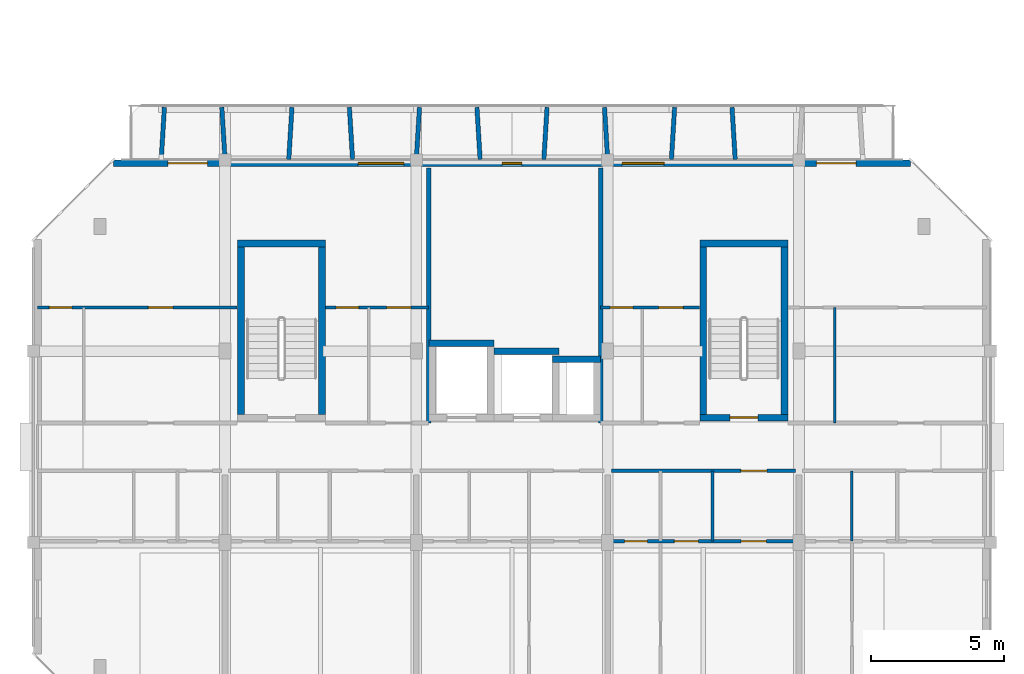
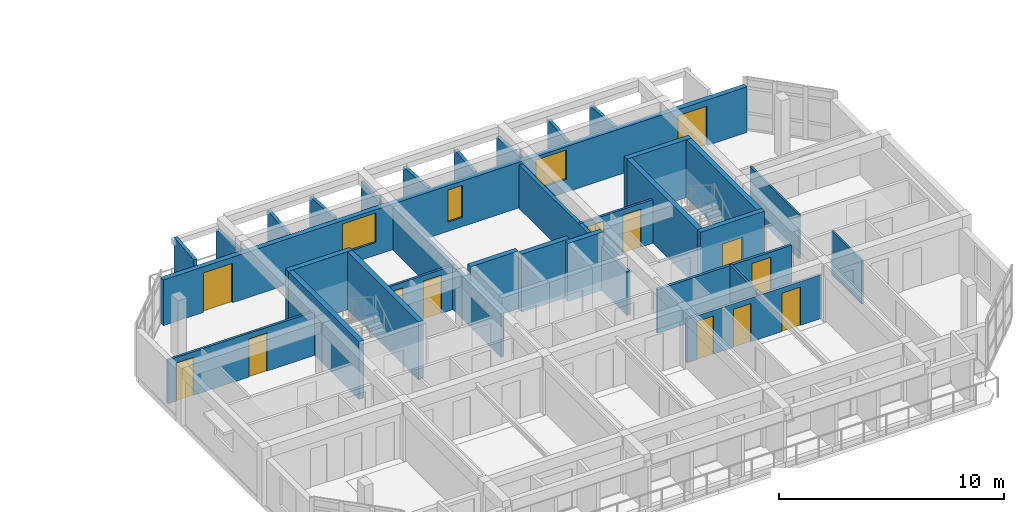
# One storey, part 10 of 22: 31 walls, 13 doors, 3 windows, 16 openings.
"""IFC4 building model written with IfcOpenShell, lengths in metres."""

from ifc_helpers import new_model, si_unit, direction, frame, frame_2d, origin, place, context, subcontext, project, spatial, rectangle, extrude, material, layer, layer_set, type_object, element, fill, save


model = new_model("IFC4")

# Units and contexts
model_context = context("Model", 3, precision=1e-05, world=origin(), true_north=direction((0.0, 1.0)))
body_context = subcontext(model_context, "Body", "Model", "MODEL_VIEW")
ifc_project = project(units=[si_unit("LENGTHUNIT", "METRE"), si_unit("AREAUNIT", "SQUARE_METRE"), si_unit("VOLUMEUNIT", "CUBIC_METRE"), si_unit("PLANEANGLEUNIT", "RADIAN"), si_unit("MASSUNIT", "GRAM", prefix="KILO")], contexts=[model_context])

# Site, building, storey
site_placement = place(None, origin())
site = spatial("IfcSite", under=ifc_project, at=site_placement, CompositionType="ELEMENT")
building_placement = place(site_placement, origin())
building = spatial("IfcBuilding", under=site, at=building_placement, Name="Ochrevale Crest", CompositionType="ELEMENT")
storey_placement = place(building_placement, frame((0.0, 0.0, 40.199951171875)))
storey = spatial("IfcBuildingStorey", under=building, at=storey_placement, Name="L12", CompositionType="ELEMENT", Elevation=40.199951171875)

# Wall, opening, door
ifc_material_1 = material(Name="Gypsum plasterboard", Category="gypsum")
ifc_layer_1 = layer(ifc_material_1, 0.139892578125)
ifc_layer_set_1 = layer_set([ifc_layer_1], Name="Gypsum plasterboard")
wall_type_1 = type_object("IfcWallType", Name="WL-COR-140", PredefinedType="PARTITIONING", material=ifc_layer_set_1)
wall_1_placement = place(storey_placement, frame((151.340087890625, 24.300048828125, 0.0), z_axis=(0.0, 0.0, 1.0), x_axis=(1.0, 0.0, 0.0)))
wall_1 = element("IfcWall", 1, at=wall_1_placement, inside=storey, type_object=wall_type_1, Name="Apartment C-L12-U4 corridor wall", PredefinedType="PARTITIONING", context=body_context, shape_type="SweptSolid", body=[
    extrude(rectangle(XDim=6.919921875, YDim=0.139892578125, at=frame_2d((3.4599609375, 0.0))), origin(), (0.0, 0.0, 1.0), 2.380126953125),
])
opening_1_placement = place(wall_1_placement, frame((5.85009765625, 0.0, 0.0), z_axis=(0.0, 0.0, 1.0), x_axis=(-1.0, 0.0, 0.0)))
opening_1 = element("IfcOpeningElement", 2, at=opening_1_placement, cuts=wall_1, Name="Opening FD01", PredefinedType="OPENING", context=body_context, shape_type="SweptSolid", body=[
    extrude(rectangle(XDim=0.97998046875, YDim=2.10009765625, at=frame_2d((0.489990234375, 1.050048828125))), frame((0.0, 0.080078125, 0.0), z_axis=(0.0, -1.0, 0.0), x_axis=(1.0, 0.0, 0.0)), (0.0, 0.0, 1.0), 0.159912109375),
])
ifc_material_2 = material(Name="Solid-core FSC hardwood", Category="wood")
door_type_1 = type_object("IfcDoorType", Name="DR-APT-950", OperationType="NOTDEFINED", PredefinedType="DOOR", material=ifc_material_2)
door_1_placement = place(opening_1_placement, origin())
door_1 = element("IfcDoor", 3, at=door_1_placement, inside=storey, type_object=door_type_1, Name="Apartment C-L12-U4 entrance door", OperationType="SINGLE_SWING_RIGHT", OverallHeight=2.10009765625, OverallWidth=0.97998046875, PredefinedType="DOOR", context=body_context, shape_type="SweptSolid", body=[
    extrude(rectangle(XDim=0.97998046875, YDim=2.10009765625, at=frame_2d((0.489990234375, 1.050048828125))), frame((0.0, 0.02490234375, 0.0), z_axis=(0.0, -1.0, 0.0), x_axis=(1.0, 0.0, 0.0)), (0.0, 0.0, 1.0), 0.050048828125),
])
fill(opening_1, door_1)

# Walls
ifc_material_3 = material(Name="Precast concrete C50/60", Category="concrete")
ifc_layer_2 = layer(ifc_material_3, 0.2548828125)
ifc_layer_set_2 = layer_set([ifc_layer_2], Name="Precast concrete C50/60")
wall_type_2 = type_object("IfcWallType", Name="WL-CORE-255", PredefinedType="SHEAR", material=ifc_layer_set_2)
wall_2_placement = place(storey_placement, frame((137.2724609375, 32.85009765625, 0.0), z_axis=(0.0, 0.0, 1.0), x_axis=(1.0, 0.0, 0.0)))
element("IfcWall", 4, at=wall_2_placement, inside=storey, type_object=wall_type_2, Name="Block C L12 Stair 1 precast core shear wall N", PredefinedType="SHEAR", context=body_context, shape_type="SweptSolid", body=[
    extrude(rectangle(XDim=3.304931640625, YDim=0.2548828125, at=frame_2d((1.65234375, 0.0))), origin(), (0.0, 0.0, 1.0), 3.150146484375),
])
for number, where, z_axis, x_axis, name in (
    (5, (137.39990234375, 26.427490234375, 0.0), (0.0, 0.0, 1.0), (0.0, 1.0, 0.0), "Block C L12 Stair 1 precast core shear wall W"),
    (6, (140.449951171875, 26.427490234375, 0.0), (0.0, 0.0, 1.0), (0.0, 1.0, 0.0), "Block C L12 Stair 1 precast core shear wall E"),
):
    element("IfcWall", number, at=place(storey_placement, frame(where, z_axis=z_axis, x_axis=x_axis)), inside=storey, type_object=wall_type_2, Name=name, PredefinedType="SHEAR", context=body_context, shape_type="SweptSolid", body=[
        extrude(rectangle(XDim=6.294921875, YDim=0.2548828125, at=frame_2d((3.1474609375, 0.0))), origin(), (0.0, 0.0, 1.0), 3.150146484375),
    ])

# Wall, opening, door
wall_3_placement = place(storey_placement, frame((154.672607421875, 26.300048828125, 0.0), z_axis=(0.0, 0.0, 1.0), x_axis=(1.0, 0.0, 0.0)))
wall_3 = element("IfcWall", 7, at=wall_3_placement, inside=storey, type_object=wall_type_2, Name="Block C L12 Stair 2 precast core shear wall S", PredefinedType="SHEAR", context=body_context, shape_type="SweptSolid", body=[
    extrude(rectangle(XDim=3.304931640625, YDim=0.2548828125, at=frame_2d((1.65234375, 0.0))), origin(), (0.0, 0.0, 1.0), 3.150146484375),
])
opening_2_placement = place(wall_3_placement, frame((1.12744140625, 0.0, 0.0)))
opening_2 = element("IfcOpeningElement", 8, at=opening_2_placement, cuts=wall_3, Name="Opening FD03", PredefinedType="OPENING", context=body_context, shape_type="SweptSolid", body=[
    extrude(rectangle(XDim=1.050048828125, YDim=2.1201171875, at=frame_2d((0.52490234375, 1.06005859375))), frame((0.0, 0.137451171875, 0.0), z_axis=(0.0, -1.0, 0.0), x_axis=(1.0, 0.0, 0.0)), (0.0, 0.0, 1.0), 0.27490234375),
])
door_type_2 = type_object("IfcDoorType", Name="DR-ST-1050", OperationType="NOTDEFINED", PredefinedType="DOOR", material=ifc_material_2)
door_2_placement = place(opening_2_placement, origin())
door_2 = element("IfcDoor", 9, at=door_2_placement, inside=storey, type_object=door_type_2, Name="Block C L12 fire stair 2 door", OperationType="SINGLE_SWING_LEFT", OverallHeight=2.1201171875, OverallWidth=1.050048828125, PredefinedType="DOOR", context=body_context, shape_type="SweptSolid", body=[
    extrude(rectangle(XDim=1.050048828125, YDim=2.1201171875, at=frame_2d((0.52490234375, 1.06005859375))), frame((0.0, 0.02490234375, 0.0), z_axis=(0.0, -1.0, 0.0), x_axis=(1.0, 0.0, 0.0)), (0.0, 0.0, 1.0), 0.050048828125),
])
fill(opening_2, door_2)

# Walls
wall_4_placement = place(storey_placement, frame((154.672607421875, 32.85009765625, 0.0), z_axis=(0.0, 0.0, 1.0), x_axis=(1.0, 0.0, 0.0)))
element("IfcWall", 10, at=wall_4_placement, inside=storey, type_object=wall_type_2, Name="Block C L12 Stair 2 precast core shear wall N", PredefinedType="SHEAR", context=body_context, shape_type="SweptSolid", body=[
    extrude(rectangle(XDim=3.304931640625, YDim=0.2548828125, at=frame_2d((1.65234375, 0.0))), origin(), (0.0, 0.0, 1.0), 3.150146484375),
])
for number, where, z_axis, x_axis, name in (
    (11, (154.800048828125, 26.427490234375, 0.0), (0.0, 0.0, 1.0), (0.0, 1.0, 0.0), "Block C L12 Stair 2 precast core shear wall W"),
    (12, (157.85009765625, 26.427490234375, 0.0), (0.0, 0.0, 1.0), (0.0, 1.0, 0.0), "Block C L12 Stair 2 precast core shear wall E"),
):
    element("IfcWall", number, at=place(storey_placement, frame(where, z_axis=z_axis, x_axis=x_axis)), inside=storey, type_object=wall_type_2, Name=name, PredefinedType="SHEAR", context=body_context, shape_type="SweptSolid", body=[
        extrude(rectangle(XDim=6.294921875, YDim=0.2548828125, at=frame_2d((3.1474609375, 0.0))), origin(), (0.0, 0.0, 1.0), 3.150146484375),
    ])
wall_5_placement = place(storey_placement, frame((144.472412109375, 29.10009765625, 0.0), z_axis=(0.0, 0.0, 1.0), x_axis=(1.0, 0.0, 0.0)))
element("IfcWall", 13, at=wall_5_placement, inside=storey, type_object=wall_type_2, Name="Block C L12 Lift 1 precast shaft shear wall N", PredefinedType="SHEAR", context=body_context, shape_type="SweptSolid", body=[
    extrude(rectangle(XDim=2.455078125, YDim=0.2548828125, at=frame_2d((1.2275390625, 0.0))), origin(), (0.0, 0.0, 1.0), 3.150146484375),
])
wall_6_placement = place(storey_placement, frame((146.922607421875, 28.800048828125, 0.0), z_axis=(0.0, 0.0, 1.0), x_axis=(1.0, 0.0, 0.0)))
element("IfcWall", 14, at=wall_6_placement, inside=storey, type_object=wall_type_2, Name="Block C L12 Lift 2 precast shaft shear wall N", PredefinedType="SHEAR", context=body_context, shape_type="SweptSolid", body=[
    extrude(rectangle(XDim=2.454833984375, YDim=0.2548828125, at=frame_2d((1.2275390625, 0.0))), origin(), (0.0, 0.0, 1.0), 3.150146484375),
])
wall_7_placement = place(storey_placement, frame((149.12255859375, 28.5, 0.0), z_axis=(0.0, 0.0, 1.0), x_axis=(1.0, 0.0, 0.0)))
element("IfcWall", 15, at=wall_7_placement, inside=storey, type_object=wall_type_2, Name="Block C L12 services riser shaft core wall N", PredefinedType="SHEAR", context=body_context, shape_type="SweptSolid", body=[
    extrude(rectangle(XDim=1.804931640625, YDim=0.2548828125, at=frame_2d((0.90234375, 0.0))), origin(), (0.0, 0.0, 1.0), 3.150146484375),
])

# Wall, openings, doors, windows
ifc_material_4 = material(Name="Precast concrete C40/50", Category="concrete")
ifc_layer_3 = layer(ifc_material_4, 0.25)
ifc_layer_set_3 = layer_set([ifc_layer_3], Name="Precast concrete C40/50")
wall_type_3 = type_object("IfcWallType", Name="WL-EXT-GOLD-250", PredefinedType="SOLIDWALL", material=ifc_layer_set_3)
wall_8_placement = place(storey_placement, frame((162.60009765625, 35.875, 0.0), z_axis=(0.0, 0.0, 1.0), x_axis=(-1.0, 0.0, 0.0)))
wall_8 = element("IfcWall", 16, at=wall_8_placement, inside=storey, type_object=wall_type_3, Name="Block C L12 external facade wall E5", PredefinedType="SOLIDWALL", context=body_context, shape_type="SweptSolid", body=[
    extrude(rectangle(XDim=30.0, YDim=0.25, at=frame_2d((15.0, 0.0))), origin(), (0.0, 0.0, 1.0), 2.47998046875),
])
opening_3_placement = place(wall_8_placement, frame((27.949951171875, 0.0, 0.0), z_axis=(0.0, 0.0, 1.0), x_axis=(-1.0, 0.0, 0.0)))
opening_3 = element("IfcOpeningElement", 17, at=opening_3_placement, cuts=wall_8, Name="Opening BD01", PredefinedType="OPENING", context=body_context, shape_type="SweptSolid", body=[
    extrude(rectangle(XDim=1.5, YDim=2.14990234375, at=frame_2d((0.75, 1.074951171875))), frame((0.0, 0.135009765625, 0.0), z_axis=(0.0, -1.0, 0.0), x_axis=(1.0, 0.0, 0.0)), (0.0, 0.0, 1.0), 0.27001953125),
])
opening_4_placement = place(wall_8_placement, frame((3.550048828125, 0.0, 0.0), z_axis=(0.0, 0.0, 1.0), x_axis=(-1.0, 0.0, 0.0)))
opening_4 = element("IfcOpeningElement", 18, at=opening_4_placement, cuts=wall_8, Name="Opening BD01", PredefinedType="OPENING", context=body_context, shape_type="SweptSolid", body=[
    extrude(rectangle(XDim=1.5, YDim=2.14990234375, at=frame_2d((0.75, 1.074951171875))), frame((0.0, 0.135009765625, 0.0), z_axis=(0.0, -1.0, 0.0), x_axis=(1.0, 0.0, 0.0)), (0.0, 0.0, 1.0), 0.27001953125),
])
opening_5_placement = place(wall_8_placement, frame((14.625, 0.0, 0.5)))
opening_5 = element("IfcOpeningElement", 19, at=opening_5_placement, cuts=wall_8, Name="Opening W16", PredefinedType="OPENING", context=body_context, shape_type="SweptSolid", body=[
    extrude(rectangle(XDim=0.75, YDim=1.75, at=frame_2d((0.375, 0.875))), frame((0.0, 0.135009765625, 0.0), z_axis=(0.0, -1.0, 0.0), x_axis=(1.0, 0.0, 0.0)), (0.0, 0.0, 1.0), 0.27001953125),
])
opening_6_placement = place(wall_8_placement, frame((9.277587890625, 0.0, 0.699951171875)))
opening_6 = element("IfcOpeningElement", 20, at=opening_6_placement, cuts=wall_8, Name="Opening W09", PredefinedType="OPENING", context=body_context, shape_type="SweptSolid", body=[
    extrude(rectangle(XDim=1.580078125, YDim=1.60009765625, at=frame_2d((0.7900390625, 0.800048828125))), frame((0.0, 0.135009765625, 0.0), z_axis=(0.0, -1.0, 0.0), x_axis=(1.0, 0.0, 0.0)), (0.0, 0.0, 1.0), 0.27001953125),
])
opening_7_placement = place(wall_8_placement, frame((19.072509765625, 0.0, 0.699951171875)))
opening_7 = element("IfcOpeningElement", 21, at=opening_7_placement, cuts=wall_8, Name="Opening W10", PredefinedType="OPENING", context=body_context, shape_type="SweptSolid", body=[
    extrude(rectangle(XDim=1.719970703125, YDim=1.60009765625, at=frame_2d((0.85986328125, 0.800048828125))), frame((0.0, 0.135009765625, 0.0), z_axis=(0.0, -1.0, 0.0), x_axis=(1.0, 0.0, 0.0)), (0.0, 0.0, 1.0), 0.27001953125),
])
ifc_material_5 = material(Name="Anodised aluminium 6063-T5 and toughened glass", Category="aluminium")
door_type_3 = type_object("IfcDoorType", Name="DR-BAL-1500", OperationType="NOTDEFINED", PredefinedType="DOOR", material=ifc_material_5)
door_3_placement = place(opening_3_placement, origin())
door_3 = element("IfcDoor", 22, at=door_3_placement, inside=storey, type_object=door_type_3, Name="Block C L12 balcony door N1", OperationType="SINGLE_SWING_RIGHT", OverallHeight=2.14990234375, OverallWidth=1.5, PredefinedType="DOOR", context=body_context, shape_type="SweptSolid", body=[
    extrude(rectangle(XDim=1.5, YDim=2.14990234375, at=frame_2d((0.75, 1.074951171875))), frame((0.0, 0.02490234375, 0.0), z_axis=(0.0, -1.0, 0.0), x_axis=(1.0, 0.0, 0.0)), (0.0, 0.0, 1.0), 0.050048828125),
])
fill(opening_3, door_3)
door_4_placement = place(opening_4_placement, origin())
door_4 = element("IfcDoor", 23, at=door_4_placement, inside=storey, type_object=door_type_3, Name="Block C L12 balcony door N5", OperationType="SINGLE_SWING_LEFT", OverallHeight=2.14990234375, OverallWidth=1.5, PredefinedType="DOOR", context=body_context, shape_type="SweptSolid", body=[
    extrude(rectangle(XDim=1.5, YDim=2.14990234375, at=frame_2d((0.75, 1.074951171875))), frame((0.0, 0.02490234375, 0.0), z_axis=(0.0, -1.0, 0.0), x_axis=(1.0, 0.0, 0.0)), (0.0, 0.0, 1.0), 0.050048828125),
])
fill(opening_4, door_4)
ifc_material_6 = material(Name="Anodised aluminium 6063-T5 and low-E double glazing", Category="aluminium")
window_type_1 = type_object("IfcWindowType", Name="WIN-W09", PartitioningType="SINGLE_PANEL", PredefinedType="WINDOW", material=ifc_material_6)
window_1_placement = place(opening_6_placement, origin())
window_1 = element("IfcWindow", 24, at=window_1_placement, inside=storey, type_object=window_type_1, Name="Block C L12 Suite C-L12-ME Garden Alcove Studio window", OverallHeight=1.60009765625, OverallWidth=1.580078125, PartitioningType="SINGLE_PANEL", PredefinedType="WINDOW", context=body_context, shape_type="SweptSolid", body=[
    extrude(rectangle(XDim=1.580078125, YDim=1.60009765625, at=frame_2d((0.7900390625, 0.800048828125))), frame((0.0, 0.030029296875, 0.0), z_axis=(0.0, -1.0, 0.0), x_axis=(1.0, 0.0, 0.0)), (0.0, 0.0, 1.0), 0.06005859375),
])
fill(opening_6, window_1)
window_type_2 = type_object("IfcWindowType", Name="WIN-W10", PartitioningType="SINGLE_PANEL", PredefinedType="WINDOW", material=ifc_material_6)
window_2_placement = place(opening_7_placement, origin())
window_2 = element("IfcWindow", 25, at=window_2_placement, inside=storey, type_object=window_type_2, Name="Block C L12 Suite C-L12-MW Courtyard Studio Living window", OverallHeight=1.60009765625, OverallWidth=1.719970703125, PartitioningType="SINGLE_PANEL", PredefinedType="WINDOW", context=body_context, shape_type="SweptSolid", body=[
    extrude(rectangle(XDim=1.719970703125, YDim=1.60009765625, at=frame_2d((0.85986328125, 0.800048828125))), frame((0.0, 0.030029296875, 0.0), z_axis=(0.0, -1.0, 0.0), x_axis=(1.0, 0.0, 0.0)), (0.0, 0.0, 1.0), 0.06005859375),
])
fill(opening_7, window_2)
window_type_3 = type_object("IfcWindowType", Name="WIN-W16", PartitioningType="SINGLE_PANEL", PredefinedType="WINDOW", material=ifc_material_6)
window_3_placement = place(opening_5_placement, origin())
window_3 = element("IfcWindow", 26, at=window_3_placement, inside=storey, type_object=window_type_3, Name="Block C L12 core lancet window", OverallHeight=1.75, OverallWidth=0.75, PartitioningType="SINGLE_PANEL", PredefinedType="WINDOW", context=body_context, shape_type="SweptSolid", body=[
    extrude(rectangle(XDim=0.75, YDim=1.75, at=frame_2d((0.375, 0.875))), frame((0.0, 0.030029296875, 0.0), z_axis=(0.0, -1.0, 0.0), x_axis=(1.0, 0.0, 0.0)), (0.0, 0.0, 1.0), 0.06005859375),
])
fill(opening_5, window_3)

# Walls
ifc_layer_4 = layer(ifc_material_4, 0.1650390625)
ifc_layer_set_4 = layer_set([ifc_layer_4], Name="Precast concrete C40/50")
wall_type_4 = type_object("IfcWallType", Name="WL-HC-CHEEK-165", PredefinedType="ELEMENTEDWALL", material=ifc_layer_set_4)
wall_9_placement = place(storey_placement, frame((134.39990234375, 36.02001953125, 0.0), z_axis=(0.0, 0.0, 1.0), x_axis=(0.061170732449, 0.998127317276, 0.0)))
element("IfcWall", 27, at=wall_9_placement, inside=storey, type_object=wall_type_4, Name="Block C L12 N precast honeycomb cheek 1", PredefinedType="ELEMENTEDWALL", context=body_context, shape_type="SweptSolid", body=[
    extrude(rectangle(XDim=1.963623046875, YDim=0.1650390625, at=frame_2d((0.98193359375, 0.0))), origin(), (0.0, 0.0, 1.0), 2.800048828125),
])
wall_10_placement = place(storey_placement, frame((136.800048828125, 36.02001953125, 0.0), z_axis=(0.0, 0.0, 1.0), x_axis=(-0.061170732449, 0.998127317276, 0.0)))
element("IfcWall", 28, at=wall_10_placement, inside=storey, type_object=wall_type_4, Name="Block C L12 N precast honeycomb cheek 2", PredefinedType="ELEMENTEDWALL", context=body_context, shape_type="SweptSolid", body=[
    extrude(rectangle(XDim=1.963623046875, YDim=0.1650390625, at=frame_2d((0.98193359375, 0.0))), origin(), (0.0, 0.0, 1.0), 2.47998046875),
])
for number, where, z_axis, x_axis, name in (
    (29, (139.199951171875, 36.02001953125, 0.0), (0.0, 0.0, 1.0), (0.061170732449, 0.998127317276, 0.0), "Block C L12 N precast honeycomb cheek 3"),
    (30, (141.60009765625, 36.02001953125, 0.0), (0.0, 0.0, 1.0), (-0.061170732449, 0.998127317276, 0.0), "Block C L12 N precast honeycomb cheek 4"),
):
    element("IfcWall", number, at=place(storey_placement, frame(where, z_axis=z_axis, x_axis=x_axis)), inside=storey, type_object=wall_type_4, Name=name, PredefinedType="ELEMENTEDWALL", context=body_context, shape_type="SweptSolid", body=[
        extrude(rectangle(XDim=1.963623046875, YDim=0.1650390625, at=frame_2d((0.98193359375, 0.0))), origin(), (0.0, 0.0, 1.0), 2.580078125),
    ])
wall_11_placement = place(storey_placement, frame((144.0, 36.02001953125, 0.0), z_axis=(0.0, 0.0, 1.0), x_axis=(0.061170732449, 0.998127317276, 0.0)))
element("IfcWall", 31, at=wall_11_placement, inside=storey, type_object=wall_type_4, Name="Block C L12 N precast honeycomb cheek 5", PredefinedType="ELEMENTEDWALL", context=body_context, shape_type="SweptSolid", body=[
    extrude(rectangle(XDim=1.963623046875, YDim=0.1650390625, at=frame_2d((0.98193359375, 0.0))), origin(), (0.0, 0.0, 1.0), 2.47998046875),
])
for number, where, z_axis, x_axis, name in (
    (32, (146.39990234375, 36.02001953125, 0.0), (0.0, 0.0, 1.0), (-0.061046865508, 0.998134900808, 0.0), "Block C L12 N precast honeycomb cheek 6"),
    (33, (148.800048828125, 36.02001953125, 0.0), (0.0, 0.0, 1.0), (0.061046865508, 0.998134900808, 0.0), "Block C L12 N precast honeycomb cheek 7"),
):
    element("IfcWall", number, at=place(storey_placement, frame(where, z_axis=z_axis, x_axis=x_axis)), inside=storey, type_object=wall_type_4, Name=name, PredefinedType="ELEMENTEDWALL", context=body_context, shape_type="SweptSolid", body=[
        extrude(rectangle(XDim=1.963623046875, YDim=0.1650390625, at=frame_2d((0.98193359375, 0.0))), origin(), (0.0, 0.0, 1.0), 2.530029296875),
    ])
for number, where, z_axis, x_axis, name in (
    (34, (151.199951171875, 36.02001953125, 0.0), (0.0, 0.0, 1.0), (-0.061046865508, 0.998134900808, 0.0), "Block C L12 N precast honeycomb cheek 8"),
    (35, (153.60009765625, 36.02001953125, 0.0), (0.0, 0.0, 1.0), (0.061046865508, 0.998134900808, 0.0), "Block C L12 N precast honeycomb cheek 9"),
    (36, (156.0, 36.02001953125, 0.0), (0.0, 0.0, 1.0), (-0.061170732449, 0.998127317276, 0.0), "Block C L12 N precast honeycomb cheek 10"),
):
    element("IfcWall", number, at=place(storey_placement, frame(where, z_axis=z_axis, x_axis=x_axis)), inside=storey, type_object=wall_type_4, Name=name, PredefinedType="ELEMENTEDWALL", context=body_context, shape_type="SweptSolid", body=[
        extrude(rectangle(XDim=1.963623046875, YDim=0.1650390625, at=frame_2d((0.98193359375, 0.0))), origin(), (0.0, 0.0, 1.0), 2.47998046875),
    ])
ifc_layer_5 = layer(ifc_material_1, 0.1201171875)
ifc_layer_set_5 = layer_set([ifc_layer_5], Name="Gypsum plasterboard")
wall_type_5 = type_object("IfcWallType", Name="WL-PART-120", PredefinedType="PARTITIONING", material=ifc_layer_set_5)
wall_12_placement = place(storey_placement, frame((155.139892578125, 21.64990234375, 0.0), z_axis=(0.0, 0.0, 1.0), x_axis=(0.0, 1.0, 0.0)))
element("IfcWall", 37, at=wall_12_placement, inside=storey, type_object=wall_type_5, Name="Apartment C-L12-U4 kitchen-foyer wall", PredefinedType="PARTITIONING", context=body_context, shape_type="SweptSolid", body=[
    extrude(rectangle(XDim=2.650146484375, YDim=0.1201171875, at=frame_2d((1.3251953125, 0.0))), origin(), (0.0, 0.0, 1.0), 2.380126953125),
])

# Wall, openings, doors
wall_13_placement = place(storey_placement, frame((151.340087890625, 21.64990234375, 0.0), z_axis=(0.0, 0.0, 1.0), x_axis=(1.0, 0.0, 0.0)))
wall_13 = element("IfcWall", 38, at=wall_13_placement, inside=storey, type_object=wall_type_5, Name="Apartment C-L12-U4 central partition", PredefinedType="PARTITIONING", context=body_context, shape_type="SweptSolid", body=[
    extrude(rectangle(XDim=6.919921875, YDim=0.1201171875, at=frame_2d((3.4599609375, 0.0))), origin(), (0.0, 0.0, 1.0), 2.380126953125),
])
opening_8_placement = place(wall_13_placement, frame((0.5, 0.0, 0.0)))
opening_8 = element("IfcOpeningElement", 39, at=opening_8_placement, cuts=wall_13, Name="Opening ID01", PredefinedType="OPENING", context=body_context, shape_type="SweptSolid", body=[
    extrude(rectangle(XDim=0.85009765625, YDim=2.080078125, at=frame_2d((0.425048828125, 1.0400390625))), frame((0.0, 0.070068359375, 0.0), z_axis=(0.0, -1.0, 0.0), x_axis=(1.0, 0.0, 0.0)), (0.0, 0.0, 1.0), 0.14013671875),
])
opening_9_placement = place(wall_13_placement, frame((3.27490234375, 0.0, 0.0), z_axis=(0.0, 0.0, 1.0), x_axis=(-1.0, 0.0, 0.0)))
opening_9 = element("IfcOpeningElement", 40, at=opening_9_placement, cuts=wall_13, Name="Opening ID02", PredefinedType="OPENING", context=body_context, shape_type="SweptSolid", body=[
    extrude(rectangle(XDim=0.89990234375, YDim=2.080078125, at=frame_2d((0.449951171875, 1.0400390625))), frame((0.0, 0.070068359375, 0.0), z_axis=(0.0, -1.0, 0.0), x_axis=(1.0, 0.0, 0.0)), (0.0, 0.0, 1.0), 0.14013671875),
])
opening_10_placement = place(wall_13_placement, frame((4.885009765625, 0.0, 0.0)))
opening_10 = element("IfcOpeningElement", 41, at=opening_10_placement, cuts=wall_13, Name="Opening ID06", PredefinedType="OPENING", context=body_context, shape_type="SweptSolid", body=[
    extrude(rectangle(XDim=0.949951171875, YDim=2.080078125, at=frame_2d((0.47509765625, 1.0400390625))), frame((0.0, 0.070068359375, 0.0), z_axis=(0.0, -1.0, 0.0), x_axis=(1.0, 0.0, 0.0)), (0.0, 0.0, 1.0), 0.14013671875),
])
door_type_4 = type_object("IfcDoorType", Name="DR-INT-900", OperationType="NOTDEFINED", PredefinedType="DOOR", material=ifc_material_2)
door_5_placement = place(opening_9_placement, origin())
door_5 = element("IfcDoor", 42, at=door_5_placement, inside=storey, type_object=door_type_4, Name="Apartment C-L12-U4 Kitchen door", OperationType="SINGLE_SWING_RIGHT", OverallHeight=2.080078125, OverallWidth=0.89990234375, PredefinedType="DOOR", context=body_context, shape_type="SweptSolid", body=[
    extrude(rectangle(XDim=0.89990234375, YDim=2.080078125, at=frame_2d((0.449951171875, 1.0400390625))), frame((0.0, 0.02490234375, 0.0), z_axis=(0.0, -1.0, 0.0), x_axis=(1.0, 0.0, 0.0)), (0.0, 0.0, 1.0), 0.050048828125),
])
fill(opening_9, door_5)
door_type_5 = type_object("IfcDoorType", Name="DR-INT-950", OperationType="NOTDEFINED", PredefinedType="DOOR", material=ifc_material_2)
door_6_placement = place(opening_10_placement, origin())
door_6 = element("IfcDoor", 43, at=door_6_placement, inside=storey, type_object=door_type_5, Name="Apartment C-L12-U4 Living Foyer door", OperationType="SINGLE_SWING_LEFT", OverallHeight=2.080078125, OverallWidth=0.949951171875, PredefinedType="DOOR", context=body_context, shape_type="SweptSolid", body=[
    extrude(rectangle(XDim=0.949951171875, YDim=2.080078125, at=frame_2d((0.47509765625, 1.0400390625))), frame((0.0, 0.02490234375, 0.0), z_axis=(0.0, -1.0, 0.0), x_axis=(1.0, 0.0, 0.0)), (0.0, 0.0, 1.0), 0.050048828125),
])
fill(opening_10, door_6)
door_type_6 = type_object("IfcDoorType", Name="DR-WC-850", OperationType="NOTDEFINED", PredefinedType="DOOR", material=ifc_material_2)
door_7_placement = place(opening_8_placement, origin())
door_7 = element("IfcDoor", 44, at=door_7_placement, inside=storey, type_object=door_type_6, Name="Apartment C-L12-U4 Bathroom door", OperationType="SINGLE_SWING_LEFT", OverallHeight=2.080078125, OverallWidth=0.85009765625, PredefinedType="DOOR", context=body_context, shape_type="SweptSolid", body=[
    extrude(rectangle(XDim=0.85009765625, YDim=2.080078125, at=frame_2d((0.425048828125, 1.0400390625))), frame((0.0, 0.02490234375, 0.0), z_axis=(0.0, -1.0, 0.0), x_axis=(1.0, 0.0, 0.0)), (0.0, 0.0, 1.0), 0.050048828125),
])
fill(opening_8, door_7)

wall_14_placement = place(storey_placement, frame((129.739990234375, 30.449951171875, 0.0), z_axis=(0.0, 0.0, 1.0), x_axis=(1.0, 0.0, 0.0)))
wall_14 = element("IfcWall", 45, at=wall_14_placement, inside=storey, type_object=wall_type_5, Name="Suite C-L12-CW internal wall", PredefinedType="PARTITIONING", context=body_context, shape_type="SweptSolid", body=[
    extrude(rectangle(XDim=7.52001953125, YDim=0.1201171875, at=frame_2d((3.760009765625, 0.0))), origin(), (0.0, 0.0, 1.0), 2.380126953125),
])
opening_11_placement = place(wall_14_placement, frame((0.449951171875, 0.0, 0.0)))
opening_11 = element("IfcOpeningElement", 46, at=opening_11_placement, cuts=wall_14, Name="Opening ID01", PredefinedType="OPENING", context=body_context, shape_type="SweptSolid", body=[
    extrude(rectangle(XDim=0.85009765625, YDim=2.080078125, at=frame_2d((0.425048828125, 1.0400390625))), frame((0.0, 0.070068359375, 0.0), z_axis=(0.0, -1.0, 0.0), x_axis=(1.0, 0.0, 0.0)), (0.0, 0.0, 1.0), 0.14013671875),
])
opening_12_placement = place(wall_14_placement, frame((5.094970703125, 0.0, 0.0), z_axis=(0.0, 0.0, 1.0), x_axis=(-1.0, 0.0, 0.0)))
opening_12 = element("IfcOpeningElement", 47, at=opening_12_placement, cuts=wall_14, Name="Opening ID04", PredefinedType="OPENING", context=body_context, shape_type="SweptSolid", body=[
    extrude(rectangle(XDim=0.919921875, YDim=2.080078125, at=frame_2d((0.4599609375, 1.0400390625))), frame((0.0, 0.070068359375, 0.0), z_axis=(0.0, -1.0, 0.0), x_axis=(1.0, 0.0, 0.0)), (0.0, 0.0, 1.0), 0.14013671875),
])
door_type_7 = type_object("IfcDoorType", Name="DR-INT-920", OperationType="NOTDEFINED", PredefinedType="DOOR", material=ifc_material_2)
door_8_placement = place(opening_12_placement, origin())
door_8 = element("IfcDoor", 48, at=door_8_placement, inside=storey, type_object=door_type_7, Name="Suite C-L12-CW Garden Alcove Studio door", OperationType="SINGLE_SWING_RIGHT", OverallHeight=2.080078125, OverallWidth=0.919921875, PredefinedType="DOOR", context=body_context, shape_type="SweptSolid", body=[
    extrude(rectangle(XDim=0.919921875, YDim=2.080078125, at=frame_2d((0.4599609375, 1.0400390625))), frame((0.0, 0.02490234375, 0.0), z_axis=(0.0, -1.0, 0.0), x_axis=(1.0, 0.0, 0.0)), (0.0, 0.0, 1.0), 0.050048828125),
])
fill(opening_12, door_8)
door_9_placement = place(opening_11_placement, origin())
door_9 = element("IfcDoor", 49, at=door_9_placement, inside=storey, type_object=door_type_6, Name="Suite C-L12-CW Bathroom door", OperationType="SINGLE_SWING_LEFT", OverallHeight=2.080078125, OverallWidth=0.85009765625, PredefinedType="DOOR", context=body_context, shape_type="SweptSolid", body=[
    extrude(rectangle(XDim=0.85009765625, YDim=2.080078125, at=frame_2d((0.425048828125, 1.0400390625))), frame((0.0, 0.02490234375, 0.0), z_axis=(0.0, -1.0, 0.0), x_axis=(1.0, 0.0, 0.0)), (0.0, 0.0, 1.0), 0.050048828125),
])
fill(opening_11, door_9)

wall_15_placement = place(storey_placement, frame((140.590087890625, 30.449951171875, 0.0), z_axis=(0.0, 0.0, 1.0), x_axis=(1.0, 0.0, 0.0)))
wall_15 = element("IfcWall", 50, at=wall_15_placement, inside=storey, type_object=wall_type_5, Name="Suite C-L12-MW internal wall", PredefinedType="PARTITIONING", context=body_context, shape_type="SweptSolid", body=[
    extrude(rectangle(XDim=3.869873046875, YDim=0.1201171875, at=frame_2d((1.93505859375, 0.0))), origin(), (0.0, 0.0, 1.0), 2.380126953125),
])
opening_13_placement = place(wall_15_placement, frame((1.23779296875, 0.0, 0.0), z_axis=(0.0, 0.0, 1.0), x_axis=(-1.0, 0.0, 0.0)))
opening_13 = element("IfcOpeningElement", 51, at=opening_13_placement, cuts=wall_15, Name="Opening ID01", PredefinedType="OPENING", context=body_context, shape_type="SweptSolid", body=[
    extrude(rectangle(XDim=0.85009765625, YDim=2.080078125, at=frame_2d((0.425048828125, 1.0400390625))), frame((0.0, 0.070068359375, 0.0), z_axis=(0.0, -1.0, 0.0), x_axis=(1.0, 0.0, 0.0)), (0.0, 0.0, 1.0), 0.14013671875),
])
opening_14_placement = place(wall_15_placement, frame((2.28759765625, 0.0, 0.0)))
opening_14 = element("IfcOpeningElement", 52, at=opening_14_placement, cuts=wall_15, Name="Opening ID04", PredefinedType="OPENING", context=body_context, shape_type="SweptSolid", body=[
    extrude(rectangle(XDim=0.919921875, YDim=2.080078125, at=frame_2d((0.4599609375, 1.0400390625))), frame((0.0, 0.070068359375, 0.0), z_axis=(0.0, -1.0, 0.0), x_axis=(1.0, 0.0, 0.0)), (0.0, 0.0, 1.0), 0.14013671875),
])
door_10_placement = place(opening_14_placement, origin())
door_10 = element("IfcDoor", 53, at=door_10_placement, inside=storey, type_object=door_type_7, Name="Suite C-L12-MW Courtyard Studio Living door", OperationType="SINGLE_SWING_LEFT", OverallHeight=2.080078125, OverallWidth=0.919921875, PredefinedType="DOOR", context=body_context, shape_type="SweptSolid", body=[
    extrude(rectangle(XDim=0.919921875, YDim=2.080078125, at=frame_2d((0.4599609375, 1.0400390625))), frame((0.0, 0.02490234375, 0.0), z_axis=(0.0, -1.0, 0.0), x_axis=(1.0, 0.0, 0.0)), (0.0, 0.0, 1.0), 0.050048828125),
])
fill(opening_14, door_10)
door_11_placement = place(opening_13_placement, origin())
door_11 = element("IfcDoor", 54, at=door_11_placement, inside=storey, type_object=door_type_6, Name="Suite C-L12-MW Bathroom door", OperationType="SINGLE_SWING_RIGHT", OverallHeight=2.080078125, OverallWidth=0.85009765625, PredefinedType="DOOR", context=body_context, shape_type="SweptSolid", body=[
    extrude(rectangle(XDim=0.85009765625, YDim=2.080078125, at=frame_2d((0.425048828125, 1.0400390625))), frame((0.0, 0.02490234375, 0.0), z_axis=(0.0, -1.0, 0.0), x_axis=(1.0, 0.0, 0.0)), (0.0, 0.0, 1.0), 0.050048828125),
])
fill(opening_13, door_11)

wall_16_placement = place(storey_placement, frame((150.93994140625, 30.449951171875, 0.0), z_axis=(0.0, 0.0, 1.0), x_axis=(1.0, 0.0, 0.0)))
wall_16 = element("IfcWall", 55, at=wall_16_placement, inside=storey, type_object=wall_type_5, Name="Suite C-L12-ME internal wall", PredefinedType="PARTITIONING", context=body_context, shape_type="SweptSolid", body=[
    extrude(rectangle(XDim=3.719970703125, YDim=0.1201171875, at=frame_2d((1.85986328125, 0.0))), origin(), (0.0, 0.0, 1.0), 2.380126953125),
])
opening_15_placement = place(wall_16_placement, frame((0.356201171875, 0.0, 0.0)))
opening_15 = element("IfcOpeningElement", 56, at=opening_15_placement, cuts=wall_16, Name="Opening ID01", PredefinedType="OPENING", context=body_context, shape_type="SweptSolid", body=[
    extrude(rectangle(XDim=0.85009765625, YDim=2.080078125, at=frame_2d((0.425048828125, 1.0400390625))), frame((0.0, 0.070068359375, 0.0), z_axis=(0.0, -1.0, 0.0), x_axis=(1.0, 0.0, 0.0)), (0.0, 0.0, 1.0), 0.14013671875),
])
opening_16_placement = place(wall_16_placement, frame((3.10107421875, 0.0, 0.0), z_axis=(0.0, 0.0, 1.0), x_axis=(-1.0, 0.0, 0.0)))
opening_16 = element("IfcOpeningElement", 57, at=opening_16_placement, cuts=wall_16, Name="Opening ID04", PredefinedType="OPENING", context=body_context, shape_type="SweptSolid", body=[
    extrude(rectangle(XDim=0.919921875, YDim=2.080078125, at=frame_2d((0.4599609375, 1.0400390625))), frame((0.0, 0.070068359375, 0.0), z_axis=(0.0, -1.0, 0.0), x_axis=(1.0, 0.0, 0.0)), (0.0, 0.0, 1.0), 0.14013671875),
])
door_12_placement = place(opening_16_placement, origin())
door_12 = element("IfcDoor", 58, at=door_12_placement, inside=storey, type_object=door_type_7, Name="Suite C-L12-ME Garden Alcove Studio door", OperationType="SINGLE_SWING_RIGHT", OverallHeight=2.080078125, OverallWidth=0.919921875, PredefinedType="DOOR", context=body_context, shape_type="SweptSolid", body=[
    extrude(rectangle(XDim=0.919921875, YDim=2.080078125, at=frame_2d((0.4599609375, 1.0400390625))), frame((0.0, 0.02490234375, 0.0), z_axis=(0.0, -1.0, 0.0), x_axis=(1.0, 0.0, 0.0)), (0.0, 0.0, 1.0), 0.050048828125),
])
fill(opening_16, door_12)
door_13_placement = place(opening_15_placement, origin())
door_13 = element("IfcDoor", 59, at=door_13_placement, inside=storey, type_object=door_type_6, Name="Suite C-L12-ME Bathroom door", OperationType="SINGLE_SWING_LEFT", OverallHeight=2.080078125, OverallWidth=0.85009765625, PredefinedType="DOOR", context=body_context, shape_type="SweptSolid", body=[
    extrude(rectangle(XDim=0.85009765625, YDim=2.080078125, at=frame_2d((0.425048828125, 1.0400390625))), frame((0.0, 0.02490234375, 0.0), z_axis=(0.0, -1.0, 0.0), x_axis=(1.0, 0.0, 0.0)), (0.0, 0.0, 1.0), 0.050048828125),
])
fill(opening_15, door_13)

# Walls
ifc_layer_6 = layer(ifc_material_1, 0.169921875)
ifc_layer_set_6 = layer_set([ifc_layer_6], Name="Gypsum plasterboard")
wall_type_6 = type_object("IfcWallType", Name="WL-TEN-170", PredefinedType="PARTITIONING", material=ifc_layer_set_6)
for number, where, z_axis, x_axis, name in (
    (60, (144.4599609375, 26.10009765625, 0.0), (0.0, 0.0, 1.0), (0.0, 1.0, 0.0), "Suite C-L12-MW east party wall"),
    (61, (150.93994140625, 26.10009765625, 0.0), (0.0, 0.0, 1.0), (0.0, 1.0, 0.0), "Suite C-L12-ME west party wall"),
):
    element("IfcWall", number, at=place(storey_placement, frame(where, z_axis=z_axis, x_axis=x_axis)), inside=storey, type_object=wall_type_6, Name=name, PredefinedType="PARTITIONING", context=body_context, shape_type="SweptSolid", body=[
        extrude(rectangle(XDim=9.599853515625, YDim=0.169921875, at=frame_2d((4.7998046875, 0.0))), origin(), (0.0, 0.0, 1.0), 2.380126953125),
    ])
ifc_layer_7 = layer(ifc_material_1, 0.10009765625)
ifc_layer_set_7 = layer_set([ifc_layer_7], Name="Gypsum plasterboard")
wall_type_7 = type_object("IfcWallType", Name="WL-WET-100", PredefinedType="PARTITIONING", material=ifc_layer_set_7)
wall_17_placement = place(storey_placement, frame((160.389892578125, 21.64990234375, 0.0), z_axis=(0.0, 0.0, 1.0), x_axis=(0.0, 1.0, 0.0)))
element("IfcWall", 62, at=wall_17_placement, inside=storey, type_object=wall_type_7, Name="Apartment C-L12-U5 bath-kitchen wall", PredefinedType="PARTITIONING", context=body_context, shape_type="SweptSolid", body=[
    extrude(rectangle(XDim=2.650146484375, YDim=0.10009765625, at=frame_2d((1.3251953125, 0.0))), origin(), (0.0, 0.0, 1.0), 2.380126953125),
])
wall_18_placement = place(storey_placement, frame((159.739990234375, 26.10009765625, 0.0), z_axis=(0.0, 0.0, 1.0), x_axis=(0.0, 1.0, 0.0)))
element("IfcWall", 63, at=wall_18_placement, inside=storey, type_object=wall_type_7, Name="Suite C-L12-CE bathroom divider", PredefinedType="PARTITIONING", context=body_context, shape_type="SweptSolid", body=[
    extrude(rectangle(XDim=4.349853515625, YDim=0.10009765625, at=frame_2d((2.1748046875, 0.0))), origin(), (0.0, 0.0, 1.0), 2.380126953125),
])

save(model, "model.ifc")
